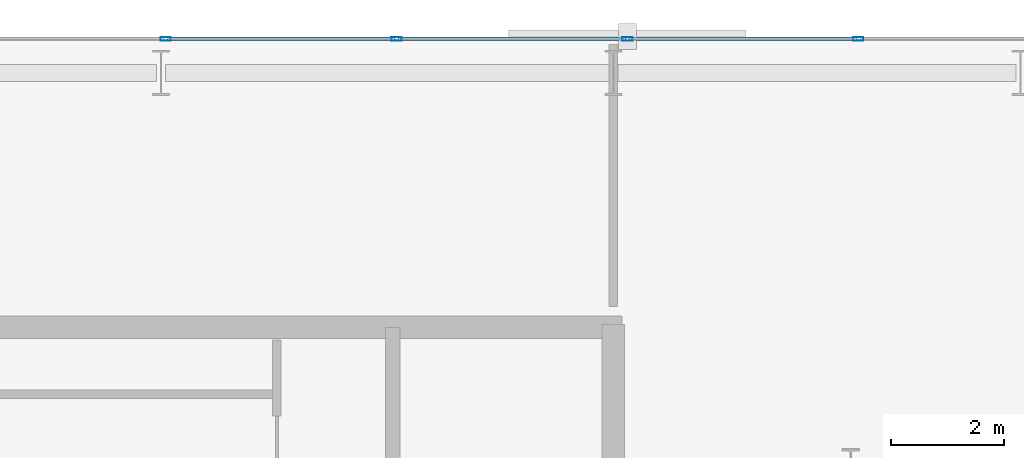
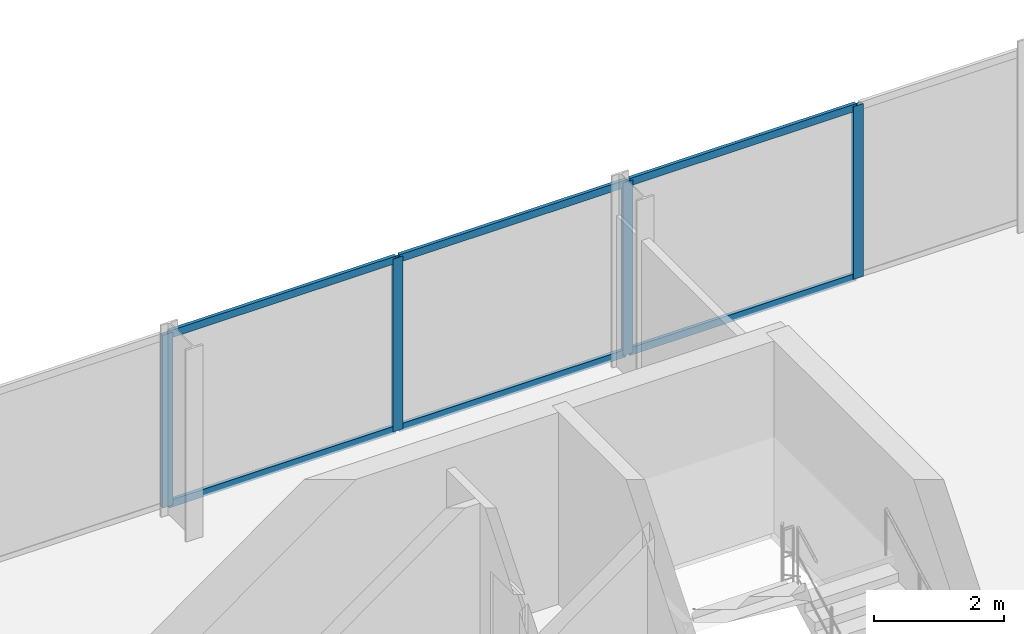
# One storey, part 26 of 33: 10 members, 1 element without a shape of its own.
"""IFC4 building model written with IfcOpenShell, lengths in metres."""

from ifc_helpers import new_model, si_unit, direction, frame, origin, origin_2d, place, context, subcontext, project, spatial, hollow_rectangle, extrude, material, layer, layer_set, material_profile, profile_set, type_object, element, aggregate, save


model = new_model("IFC4")

# Units and contexts
model_context = context("Model", 3, precision=1e-05, world=origin(), true_north=direction((0.0, 1.0)))
body_context = subcontext(model_context, "Body", "Model", "MODEL_VIEW")
ifc_project = project(units=[si_unit("LENGTHUNIT", "METRE"), si_unit("AREAUNIT", "SQUARE_METRE"), si_unit("VOLUMEUNIT", "CUBIC_METRE"), si_unit("PLANEANGLEUNIT", "RADIAN"), si_unit("MASSUNIT", "GRAM", prefix="KILO")], contexts=[model_context])

# Site, building, storey
site_placement = place(None, origin())
site = spatial("IfcSite", under=ifc_project, at=site_placement, CompositionType="ELEMENT")
building_placement = place(site_placement, origin())
building = spatial("IfcBuilding", under=site, at=building_placement, Name="Catumbela Crestline Tower", CompositionType="ELEMENT")
storey_placement = place(building_placement, frame((0.0, 0.0, 76.2)))
storey = spatial("IfcBuildingStorey", under=building, at=storey_placement, Name="L19", CompositionType="ELEMENT", Elevation=76.2)

# Curtain wall, members
ifc_material = material(Name="Aluminium alloy AW-6060-T66", Category="aluminium")
ifc_layer = layer(ifc_material, 0.18, Name="Aluminium alloy AW-6060-T66")
ifc_layer_set = layer_set([ifc_layer], Name="Aluminium alloy AW-6060-T66")
curtain_wall_type = type_object("IfcCurtainWallType", Name="CWU-Z1", PredefinedType="USERDEFINED", material=ifc_layer_set)
curtain_wall_placement = place(storey_placement, origin())
curtain_wall = element("IfcCurtainWall", 1, at=curtain_wall_placement, inside=storey, type_object=curtain_wall_type, Name="L19 Unitised Curtain Wall CW-L19-E7S1", ObjectType="UNITISED", PredefinedType="USERDEFINED")
ifc_material_profile_1 = material_profile(ifc_material, hollow_rectangle(XDim=0.065, YDim=0.18, WallThickness=0.004, at=origin_2d()), Name="ALU 180x65x4")
ifc_profile_set_1 = profile_set([ifc_material_profile_1], Name="Aluminium alloy AW-6060-T66")
member_type_1 = type_object("IfcMemberType", Name="MUL-180X65", PredefinedType="MULLION", material=ifc_profile_set_1)
member_1_placement = place(storey_placement, frame((44.3333, 48.0, 0.0), z_axis=(0.0, 0.0, 1.0), x_axis=(0.0, -1.0, 0.0)))
member_1 = element("IfcMember", 2, at=member_1_placement, type_object=member_type_1, Name="CWU-Z1 mullion 3", PredefinedType="MULLION", context=body_context, shape_type="SweptSolid", body=[
    extrude(hollow_rectangle(XDim=0.065, YDim=0.18, WallThickness=0.004, at=origin_2d()), origin(), (0.0, 0.0, 1.0), 3.24),
])
member_2_placement = place(storey_placement, frame((40.25, 48.0, 0.0), z_axis=(0.0, 0.0, 1.0), x_axis=(0.0, -1.0, 0.0)))
member_2 = element("IfcMember", 3, at=member_2_placement, type_object=member_type_1, Name="CWU-Z1 mullion 4", PredefinedType="MULLION", context=body_context, shape_type="SweptSolid", body=[
    extrude(hollow_rectangle(XDim=0.065, YDim=0.18, WallThickness=0.004, at=origin_2d()), origin(), (0.0, 0.0, 1.0), 3.24),
])
member_3_placement = place(storey_placement, frame((36.1667, 48.0, 0.0), z_axis=(0.0, 0.0, 1.0), x_axis=(0.0, -1.0, 0.0)))
member_3 = element("IfcMember", 4, at=member_3_placement, type_object=member_type_1, Name="CWU-Z1 mullion 5", PredefinedType="MULLION", context=body_context, shape_type="SweptSolid", body=[
    extrude(hollow_rectangle(XDim=0.065, YDim=0.18, WallThickness=0.004, at=origin_2d()), origin(), (0.0, 0.0, 1.0), 3.24),
])
member_4_placement = place(storey_placement, frame((32.0833, 48.0, 0.0), z_axis=(0.0, 0.0, 1.0), x_axis=(0.0, -1.0, 0.0)))
member_4 = element("IfcMember", 5, at=member_4_placement, type_object=member_type_1, Name="CWU-Z1 mullion 6", PredefinedType="MULLION", context=body_context, shape_type="SweptSolid", body=[
    extrude(hollow_rectangle(XDim=0.065, YDim=0.18, WallThickness=0.004, at=origin_2d()), origin(), (0.0, 0.0, 1.0), 3.24),
])
ifc_material_profile_2 = material_profile(ifc_material, hollow_rectangle(XDim=0.06, YDim=0.14, WallThickness=0.004, at=origin_2d()), Name="ALU 140x60x4")
ifc_profile_set_2 = profile_set([ifc_material_profile_2], Name="Aluminium alloy AW-6060-T66")
member_type_2 = type_object("IfcMemberType", Name="TRN-140X60", PredefinedType="USERDEFINED", material=ifc_profile_set_2)
member_5_placement = place(storey_placement, frame((44.3008, 48.0, 0.03), z_axis=(-1.0, 0.0, 0.0), x_axis=(0.0, -1.0, 0.0)))
member_5 = element("IfcMember", 6, at=member_5_placement, type_object=member_type_2, Name="CWU-Z1 transom 3.1", ObjectType="TRANSOM", PredefinedType="USERDEFINED", context=body_context, shape_type="SweptSolid", body=[
    extrude(hollow_rectangle(XDim=0.06, YDim=0.14, WallThickness=0.004, at=origin_2d()), origin(), (0.0, 0.0, 1.0), 4.0183),
])
member_6_placement = place(storey_placement, frame((44.3008, 48.0, 3.21), z_axis=(-1.0, 0.0, 0.0), x_axis=(0.0, -1.0, 0.0)))
member_6 = element("IfcMember", 7, at=member_6_placement, type_object=member_type_2, Name="CWU-Z1 transom 3.2", ObjectType="TRANSOM", PredefinedType="USERDEFINED", context=body_context, shape_type="SweptSolid", body=[
    extrude(hollow_rectangle(XDim=0.06, YDim=0.14, WallThickness=0.004, at=origin_2d()), origin(), (0.0, 0.0, 1.0), 4.0183),
])
member_7_placement = place(storey_placement, frame((40.2175, 48.0, 0.03), z_axis=(-1.0, 0.0, 0.0), x_axis=(0.0, -1.0, 0.0)))
member_7 = element("IfcMember", 8, at=member_7_placement, type_object=member_type_2, Name="CWU-Z1 transom 4.1", ObjectType="TRANSOM", PredefinedType="USERDEFINED", context=body_context, shape_type="SweptSolid", body=[
    extrude(hollow_rectangle(XDim=0.06, YDim=0.14, WallThickness=0.004, at=origin_2d()), origin(), (0.0, 0.0, 1.0), 4.0183),
])
member_8_placement = place(storey_placement, frame((40.2175, 48.0, 3.21), z_axis=(-1.0, 0.0, 0.0), x_axis=(0.0, -1.0, 0.0)))
member_8 = element("IfcMember", 9, at=member_8_placement, type_object=member_type_2, Name="CWU-Z1 transom 4.2", ObjectType="TRANSOM", PredefinedType="USERDEFINED", context=body_context, shape_type="SweptSolid", body=[
    extrude(hollow_rectangle(XDim=0.06, YDim=0.14, WallThickness=0.004, at=origin_2d()), origin(), (0.0, 0.0, 1.0), 4.0183),
])
member_9_placement = place(storey_placement, frame((36.1342, 48.0, 0.03), z_axis=(-1.0, 0.0, 0.0), x_axis=(0.0, -1.0, 0.0)))
member_9 = element("IfcMember", 10, at=member_9_placement, type_object=member_type_2, Name="CWU-Z1 transom 5.1", ObjectType="TRANSOM", PredefinedType="USERDEFINED", context=body_context, shape_type="SweptSolid", body=[
    extrude(hollow_rectangle(XDim=0.06, YDim=0.14, WallThickness=0.004, at=origin_2d()), origin(), (0.0, 0.0, 1.0), 4.0184),
])
member_10_placement = place(storey_placement, frame((36.1342, 48.0, 3.21), z_axis=(-1.0, 0.0, 0.0), x_axis=(0.0, -1.0, 0.0)))
member_10 = element("IfcMember", 11, at=member_10_placement, type_object=member_type_2, Name="CWU-Z1 transom 5.2", ObjectType="TRANSOM", PredefinedType="USERDEFINED", context=body_context, shape_type="SweptSolid", body=[
    extrude(hollow_rectangle(XDim=0.06, YDim=0.14, WallThickness=0.004, at=origin_2d()), origin(), (0.0, 0.0, 1.0), 4.0184),
])
aggregate(curtain_wall, [member_1, member_2, member_3, member_4, member_5, member_6, member_7, member_8, member_9, member_10])

save(model, "model.ifc")
